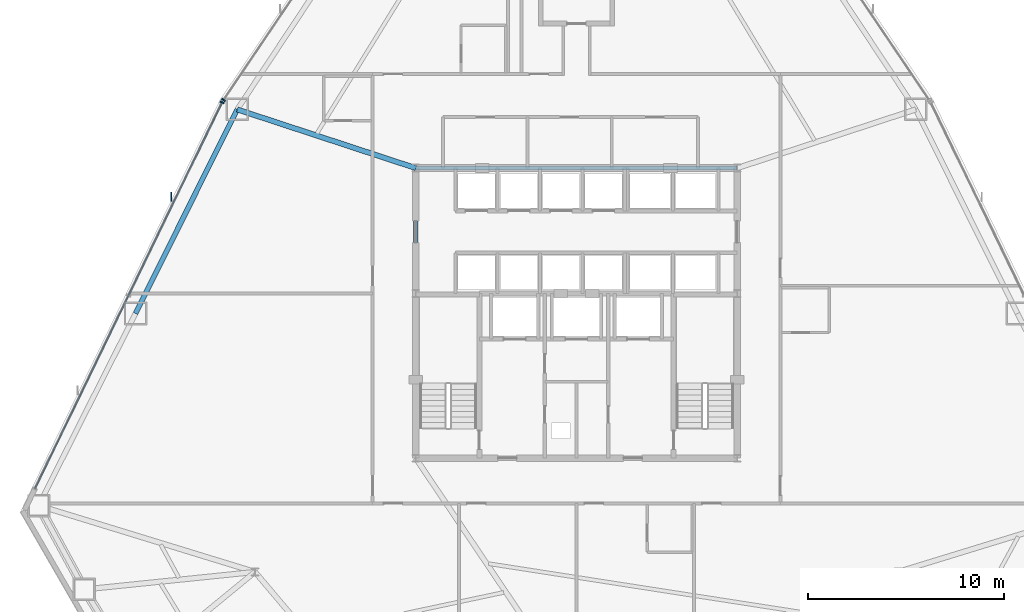
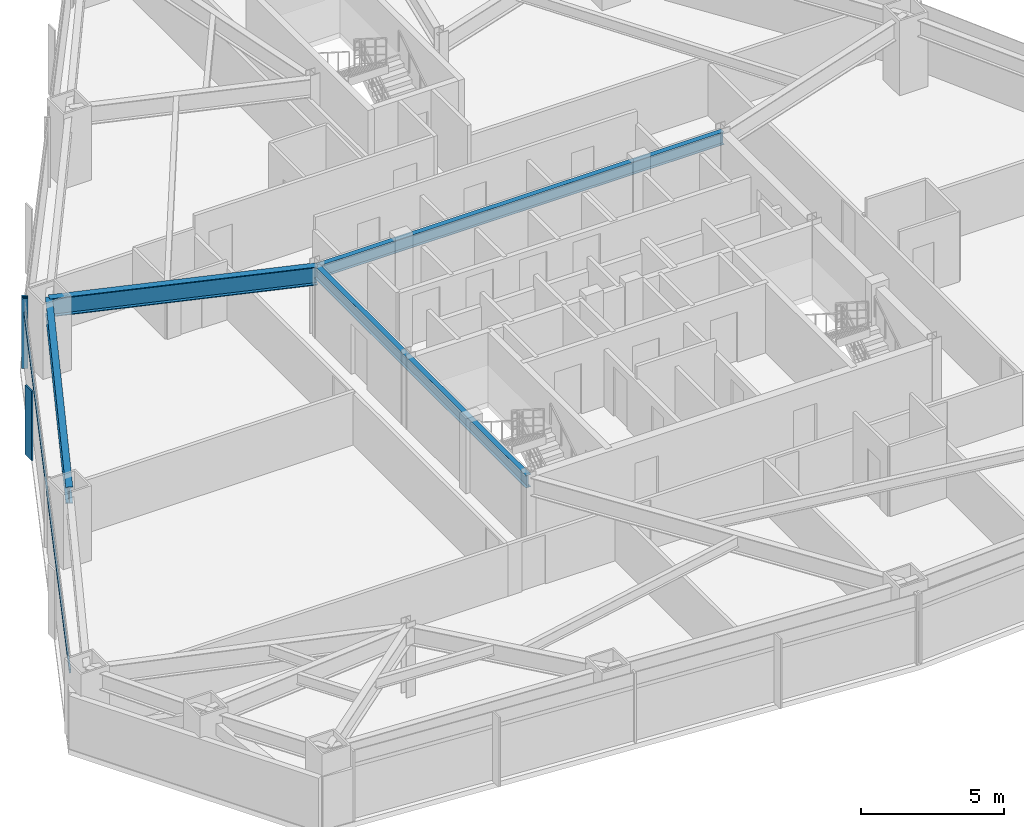
# One storey, part 5 of 12: 4 beams, 4 members, 2 elements without a shape of their own.
"""IFC4 building model written with IfcOpenShell, lengths in metres."""

from ifc_helpers import new_model, si_unit, direction, frame, origin, origin_2d, place, context, subcontext, project, spatial, rectangle, i_section, extrude, source, transform, mapped, material, layer, layer_set, material_profile, profile_set, type_object, type_shapes, element, aggregate, save


model = new_model("IFC4")

# Units and contexts
model_context = context("Model", 3, precision=1e-05, world=origin(), true_north=direction((0.0, 1.0)))
body_context = subcontext(model_context, "Body", "Model", "MODEL_VIEW")
ifc_project = project(units=[si_unit("LENGTHUNIT", "METRE"), si_unit("AREAUNIT", "SQUARE_METRE"), si_unit("VOLUMEUNIT", "CUBIC_METRE"), si_unit("PLANEANGLEUNIT", "RADIAN"), si_unit("MASSUNIT", "GRAM", prefix="KILO")], contexts=[model_context])

# Site, building, storey
site_placement = place(None, origin())
site = spatial("IfcSite", under=ifc_project, at=site_placement, CompositionType="ELEMENT")
building_placement = place(site_placement, origin())
building = spatial("IfcBuilding", under=site, at=building_placement, Name="Varakhsha Concourse Tower", CompositionType="ELEMENT")
storey_placement = place(building_placement, frame((0.0, 0.0, 59.199951171875)))
storey = spatial("IfcBuildingStorey", under=building, at=storey_placement, Name="L16", CompositionType="ELEMENT", Elevation=59.199951171875)

# Beams
ifc_material_1 = material(Name="Structural Steel ASTM A992 Grade 50", Category="steel")
ifc_material_profile_1 = material_profile(ifc_material_1, i_section(OverallWidth=0.26611328125, OverallDepth=0.779052734375, WebThickness=0.01708984375, FlangeThickness=0.030029296875, at=origin_2d()), Name="W30X148")
ifc_profile_set_1 = profile_set([ifc_material_profile_1], Name="Structural Steel ASTM A992 Grade 50")
beam_type_1 = type_object("IfcBeamType", Name="BM-BASE-W30X148", PredefinedType="USERDEFINED", material=ifc_profile_set_1)
beam_1_placement = place(storey_placement, frame((31.800048828125, 31.199951171875, 2.590576171875), z_axis=(-0.950042324333, 0.31212110146, 0.0), x_axis=(-0.31212110146, -0.950042324333, 0.0)))
element("IfcBeam", 1, at=beam_1_placement, inside=storey, type_object=beam_type_1, Name="L16 Radial Floor Girder 05", ObjectType="GIRDER", PredefinedType="USERDEFINED", context=body_context, shape_type="SweptSolid", body=[
    extrude(i_section(OverallWidth=0.26611328125, OverallDepth=0.779052734375, WebThickness=0.01708984375, FlangeThickness=0.030029296875, at=origin_2d()), origin(), (0.0, 0.0, 1.0), 9.584228515625),
])
ifc_material_profile_2 = material_profile(ifc_material_1, i_section(OverallWidth=0.2109375, OverallDepth=0.5390625, WebThickness=0.011962890625, FlangeThickness=0.01904296875, at=origin_2d()), Name="W21X73")
ifc_profile_set_2 = profile_set([ifc_material_profile_2], Name="Structural Steel ASTM A992 Grade 50")
beam_type_2 = type_object("IfcBeamType", Name="BM-RAD-W21X73", PredefinedType="BEAM", material=ifc_profile_set_2)
beam_2_placement = place(storey_placement, frame((31.800048828125, 31.199951171875, 2.71044921875), z_axis=(1.0, 0.0, 0.0), x_axis=(0.0, 1.0, 0.0)))
element("IfcBeam", 2, at=beam_2_placement, inside=storey, type_object=beam_type_2, Name="BM-TCORE-L16-CN", PredefinedType="BEAM", context=body_context, shape_type="SweptSolid", body=[
    extrude(i_section(OverallWidth=0.2109375, OverallDepth=0.5390625, WebThickness=0.011962890625, FlangeThickness=0.01904296875, at=origin_2d()), origin(), (0.0, 0.0, 1.0), 16.39990234375),
])
beam_3_placement = place(storey_placement, frame((31.800048828125, 16.39990234375, 2.71044921875), z_axis=(0.0, 1.0, 0.0), x_axis=(-1.0, 0.0, 0.0)))
element("IfcBeam", 3, at=beam_3_placement, inside=storey, type_object=beam_type_2, Name="BM-TCORE-L16-CW", PredefinedType="BEAM", context=body_context, shape_type="SweptSolid", body=[
    extrude(i_section(OverallWidth=0.2109375, OverallDepth=0.5390625, WebThickness=0.011962890625, FlangeThickness=0.01904296875, at=origin_2d()), origin(), (0.0, 0.0, 1.0), 14.800048828125),
])
ifc_material_profile_3 = material_profile(ifc_material_1, i_section(OverallWidth=0.25390625, OverallDepth=0.701904296875, WebThickness=0.014892578125, FlangeThickness=0.028076171875, at=origin_2d()), Name="W27X129")
ifc_profile_set_3 = profile_set([ifc_material_profile_3], Name="Structural Steel ASTM A992 Grade 50")
beam_type_3 = type_object("IfcBeamType", Name="BM-SPAN-W27X129", PredefinedType="SPANDREL", material=ifc_profile_set_3)
beam_4_placement = place(storey_placement, frame((22.694580078125, 34.19140625, 2.629150390625), z_axis=(-0.445953574097, -0.895056093075, 0.0), x_axis=(0.895056093075, -0.445953574097, 0.0)))
element("IfcBeam", 4, at=beam_4_placement, inside=storey, type_object=beam_type_3, Name="BM-SPAN-L16-05", PredefinedType="SPANDREL", context=body_context, shape_type="SweptSolid", body=[
    extrude(i_section(OverallWidth=0.25390625, OverallDepth=0.701904296875, WebThickness=0.014892578125, FlangeThickness=0.028076171875, at=origin_2d()), origin(), (0.0, 0.0, 1.0), 11.629638671875),
])

# Curtain wall, member
ifc_material_2 = material(Name="Anodised Bronze Architectural Aluminium AA 6063-T6", Category="aluminium")
ifc_layer = layer(ifc_material_2, 0.219970703125, Name="CW-SYS-02")
ifc_layer_set = layer_set([ifc_layer], Name="Anodised Bronze Architectural Aluminium AA 6063-T6")
curtain_wall_type = type_object("IfcCurtainWallType", Name="CW-SYS-02", PredefinedType="NOTDEFINED", material=ifc_layer_set)
curtain_wall_1_placement = place(storey_placement, origin())
curtain_wall_1 = element("IfcCurtainWall", 5, at=curtain_wall_1_placement, inside=storey, type_object=curtain_wall_type, Name="L16 Crystal Curtain Wall F2", PredefinedType="NOTDEFINED")
ifc_material_profile_4 = material_profile(ifc_material_2, rectangle(XDim=0.074951171875, YDim=0.219970703125, at=origin_2d()), Name="CWM-220X75")
ifc_profile_set_4 = profile_set([ifc_material_profile_4], Name="Anodised Bronze Architectural Aluminium AA 6063-T6")
member_type_1 = type_object("IfcMemberType", Name="CWM-220X75", PredefinedType="MULLION", material=ifc_profile_set_4)
shared_shape_1 = source(origin(), body_context, "Body", "SweptSolid", [
    extrude(rectangle(XDim=0.074951171875, YDim=0.219970703125, at=origin_2d()), origin(), (0.0, 0.0, 1.0), 2.97998046875),
])
type_shapes(member_type_1, [shared_shape_1])
member_1_placement = place(storey_placement, frame((21.99560546875, 34.673583984375, 0.0), z_axis=(0.0, 0.0, 1.0), x_axis=(0.561391731634, 0.827550194038, 0.0)))
member_1 = element("IfcMember", 6, at=member_1_placement, type_object=member_type_1, Name="CW-L16-F2 Mullion 00", PredefinedType="MULLION", context=body_context, shape_type="MappedRepresentation", body=[
    mapped(shared_shape_1, transform((0.0, 0.0, 0.0), scale=1.0)),
])
aggregate(curtain_wall_1, [member_1])

# Curtain wall, members
curtain_wall_2_placement = place(storey_placement, origin())
curtain_wall_2 = element("IfcCurtainWall", 7, at=curtain_wall_2_placement, inside=storey, type_object=curtain_wall_type, Name="L16 Crystal Curtain Wall F3", PredefinedType="NOTDEFINED")
member_2_placement = place(storey_placement, frame((21.92724609375, 34.555419921875, 0.0), z_axis=(0.0, 0.0, 1.0), x_axis=(0.435982054409, 0.899955359022, 0.0)))
member_2 = element("IfcMember", 8, at=member_2_placement, type_object=member_type_1, Name="CW-L16-F3 Mullion 02", PredefinedType="MULLION", context=body_context, shape_type="MappedRepresentation", body=[
    mapped(shared_shape_1, transform((0.0, 0.0, 0.0), scale=1.0)),
])
ifc_material_profile_5 = material_profile(ifc_material_2, rectangle(XDim=0.06494140625, YDim=0.449951171875, at=origin_2d()), Name="FIN-BRZ-450")
ifc_profile_set_5 = profile_set([ifc_material_profile_5], Name="Anodised Bronze Architectural Aluminium AA 6063-T6")
member_type_2 = type_object("IfcMemberType", Name="FIN-BRZ-450", PredefinedType="USERDEFINED", material=ifc_profile_set_5)
shared_shape_2 = source(origin(), body_context, "Body", "SweptSolid", [
    extrude(rectangle(XDim=0.06494140625, YDim=0.449951171875, at=origin_2d()), origin(), (0.0, 0.0, 1.0), 2.97998046875),
])
type_shapes(member_type_2, [shared_shape_2])
member_3_placement = place(storey_placement, frame((19.32373046875, 29.73193359375, 0.0), z_axis=(0.0, 0.0, 1.0), x_axis=(1.0, 0.0, 0.0)))
member_3 = element("IfcMember", 9, at=member_3_placement, type_object=member_type_2, Name="L16 Anodised Bronze Solar Fin F3-2", ObjectType="SOLAR FIN", PredefinedType="USERDEFINED", context=body_context, shape_type="MappedRepresentation", body=[
    mapped(shared_shape_2, transform((0.0, 0.0, 0.0), scale=1.0)),
])
ifc_material_profile_6 = material_profile(ifc_material_2, rectangle(XDim=0.06494140625, YDim=0.159912109375, at=origin_2d()), Name="CWT-160X65")
ifc_profile_set_6 = profile_set([ifc_material_profile_6], Name="Anodised Bronze Architectural Aluminium AA 6063-T6")
member_type_3 = type_object("IfcMemberType", Name="CWT-160X65", PredefinedType="USERDEFINED", material=ifc_profile_set_6)
shared_shape_3 = source(origin(), body_context, "Body", "SweptSolid", [
    extrude(rectangle(XDim=0.06494140625, YDim=0.159912109375, at=origin_2d()), origin(), (0.0, 0.0, 1.0), 21.904296875),
])
type_shapes(member_type_3, [shared_shape_3])
member_4_placement = place(storey_placement, frame((12.37744140625, 14.842529296875, 2.330078125), z_axis=(0.435979233991, 0.899956725364, 0.0), x_axis=(-0.899956725364, 0.435979233991, 0.0)))
member_4 = element("IfcMember", 10, at=member_4_placement, type_object=member_type_3, Name="CW-L16-F3 Transom 01", ObjectType="TRANSOM", PredefinedType="USERDEFINED", context=body_context, shape_type="MappedRepresentation", body=[
    mapped(shared_shape_3, transform((0.0, 0.0, 0.0), scale=1.0)),
])
aggregate(curtain_wall_2, [member_2, member_4, member_3])

save(model, "model.ifc")
